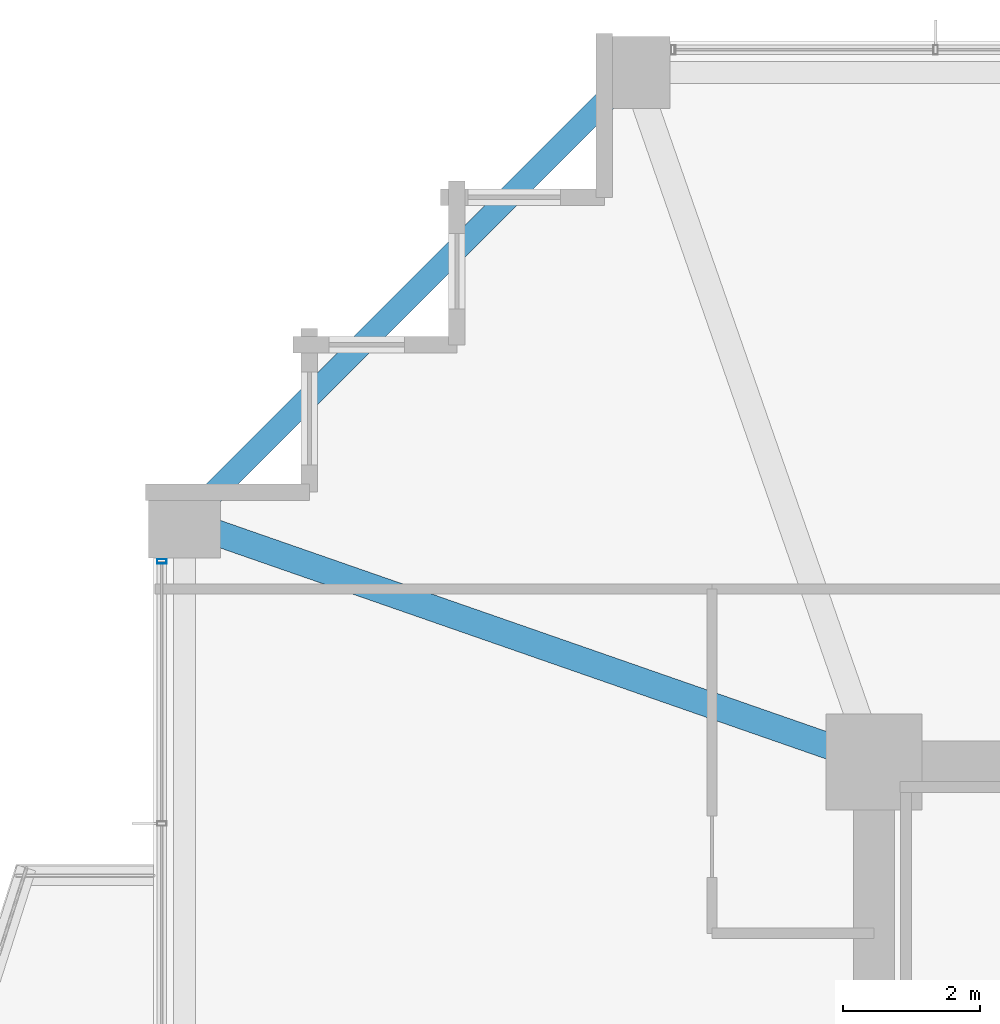
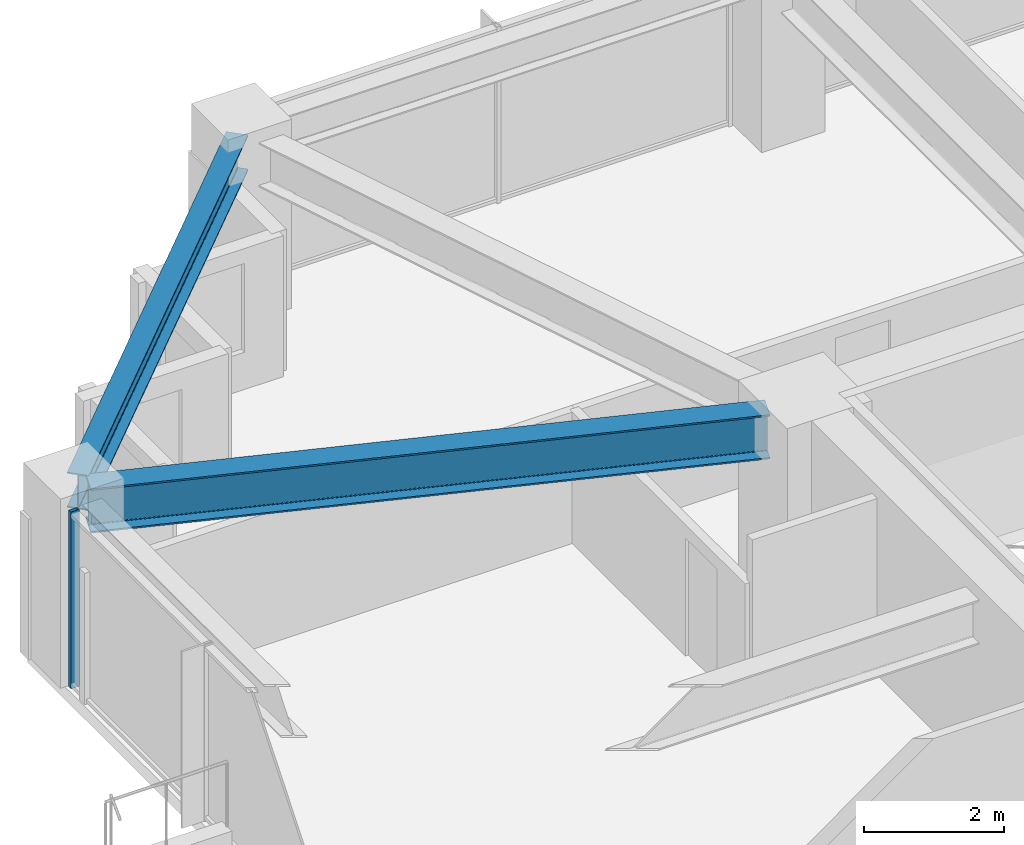
# One storey, part 19 of 36: 2 beams, 1 member, 1 element without a shape of its own.
"""IFC4 building model written with IfcOpenShell, lengths in metres."""

from ifc_helpers import new_model, si_unit, direction, frame, origin, origin_2d, place, context, subcontext, project, spatial, hollow_rectangle, i_section, extrude, material, material_profile, profile_set, type_object, element, aggregate, save


model = new_model("IFC4")

# Units and contexts
model_context = context("Model", 3, precision=1e-05, world=origin(), true_north=direction((0.0, 1.0)))
body_context = subcontext(model_context, "Body", "Model", "MODEL_VIEW")
ifc_project = project(units=[si_unit("LENGTHUNIT", "METRE"), si_unit("AREAUNIT", "SQUARE_METRE"), si_unit("VOLUMEUNIT", "CUBIC_METRE"), si_unit("PLANEANGLEUNIT", "RADIAN"), si_unit("MASSUNIT", "GRAM", prefix="KILO")], contexts=[model_context])

# Site, building, storey
site_placement = place(None, origin())
site = spatial("IfcSite", under=ifc_project, at=site_placement, CompositionType="ELEMENT")
building_placement = place(site_placement, origin())
building = spatial("IfcBuilding", under=site, at=building_placement, Name="Kolvaren Belvedere", CompositionType="ELEMENT")
storey_placement = place(building_placement, frame((0.0, 0.0, 95.300048828125)))
storey = spatial("IfcBuildingStorey", under=building, at=storey_placement, Name="L27", CompositionType="ELEMENT", Elevation=95.300048828125)

# Beams
ifc_material_1 = material(Name="Structural steel ASTM A992 Grade 50", Category="steel")
ifc_material_profile_1 = material_profile(ifc_material_1, i_section(OverallWidth=0.381103515625, OverallDepth=0.77294921875, WebThickness=0.0166015625, FlangeThickness=0.027099609375, FilletRadius=0.02392578125, at=origin_2d()), Name="W30X173")
ifc_profile_set_1 = profile_set([ifc_material_profile_1], Name="Structural steel ASTM A992 Grade 50")
beam_type_1 = type_object("IfcBeamType", Name="BM-GIRD-W30X173", PredefinedType="BEAM", material=ifc_profile_set_1)
beam_1_placement = place(storey_placement, frame((-10.41943359375, 10.080810546875, 2.693359375), z_axis=(-0.944371408538, 0.328880894453, 0.0), x_axis=(-0.328880894453, -0.944371408538, 0.0)))
element("IfcBeam", 1, at=beam_1_placement, inside=storey, type_object=beam_type_1, Name="L27 Corner Core-to-Perimeter Girder CC4-W4", PredefinedType="BEAM", context=body_context, shape_type="SweptSolid", body=[
    extrude(i_section(OverallWidth=0.381103515625, OverallDepth=0.77294921875, WebThickness=0.0166015625, FlangeThickness=0.027099609375, FilletRadius=0.02392578125, at=origin_2d()), origin(), (0.0, 0.0, 1.0), 9.882080078125),
])
ifc_material_2 = material(Name="Structural steel ASTM A992 Grade 50", Category="steel")
ifc_material_profile_2 = material_profile(ifc_material_2, i_section(OverallWidth=0.324951171875, OverallDepth=0.615966796875, WebThickness=0.013916015625, FlangeThickness=0.021484375, FilletRadius=0.02001953125, at=origin_2d()), Name="W24X117")
ifc_profile_set_2 = profile_set([ifc_material_profile_2], Name="Structural steel ASTM A992 Grade 50")
beam_type_2 = type_object("IfcBeamType", Name="BM-SPAN-W24X117", PredefinedType="SPANDREL", material=ifc_profile_set_2)
beam_2_placement = place(storey_placement, frame((-13.567138671875, 19.782958984375, 2.77197265625), z_axis=(-0.707106781187, -0.707106781187, 0.0), x_axis=(0.707106781187, -0.707106781187, 0.0)))
element("IfcBeam", 2, at=beam_2_placement, inside=storey, type_object=beam_type_2, Name="L27 Perimeter Spandrel N1-W4", PredefinedType="SPANDREL", context=body_context, shape_type="SweptSolid", body=[
    extrude(i_section(OverallWidth=0.324951171875, OverallDepth=0.615966796875, WebThickness=0.013916015625, FlangeThickness=0.021484375, FilletRadius=0.02001953125, at=origin_2d()), origin(), (0.0, 0.0, 1.0), 8.79052734375),
])

# Curtain wall, member
ifc_material_3 = material(Name="Anodised pale-metal aluminium AA 6063-T6", Category="aluminium")
curtain_wall_type = type_object("IfcCurtainWallType", Name="CW-Z2-MID", PredefinedType="NOTDEFINED", material=ifc_material_3)
curtain_wall_placement = place(storey_placement, origin())
curtain_wall = element("IfcCurtainWall", 3, at=curtain_wall_placement, inside=storey, type_object=curtain_wall_type, Name="L27 Unitised Curtain Wall FCW-L27-W2-B2", PredefinedType="NOTDEFINED")
ifc_material_4 = material(Name="Anodised pale-metal aluminium AA 6063-T6", Category="aluminium")
ifc_material_profile_3 = material_profile(ifc_material_4, hollow_rectangle(XDim=0.06494140625, YDim=0.139892578125, WallThickness=0.00390625, at=origin_2d()), Name="ALU-MUL-140X65")
ifc_profile_set_3 = profile_set([ifc_material_profile_3], Name="Anodised pale-metal aluminium AA 6063-T6")
member_type = type_object("IfcMemberType", Name="CW-MUL-140", PredefinedType="MULLION", material=ifc_profile_set_3)
member_placement = place(storey_placement, frame((-20.280029296875, 12.822509765625, 0.0), z_axis=(0.0, 0.0, 1.0), x_axis=(0.0, 1.0, 0.0)))
member = element("IfcMember", 4, at=member_placement, type_object=member_type, Name="FCW-L27-W2-B2 Unitised Mullion 3", PredefinedType="MULLION", context=body_context, shape_type="SweptSolid", body=[
    extrude(hollow_rectangle(XDim=0.06494140625, YDim=0.139892578125, WallThickness=0.00390625, at=origin_2d()), origin(), (0.0, 0.0, 1.0), 3.079833984375),
])
aggregate(curtain_wall, [member])

save(model, "model.ifc")
